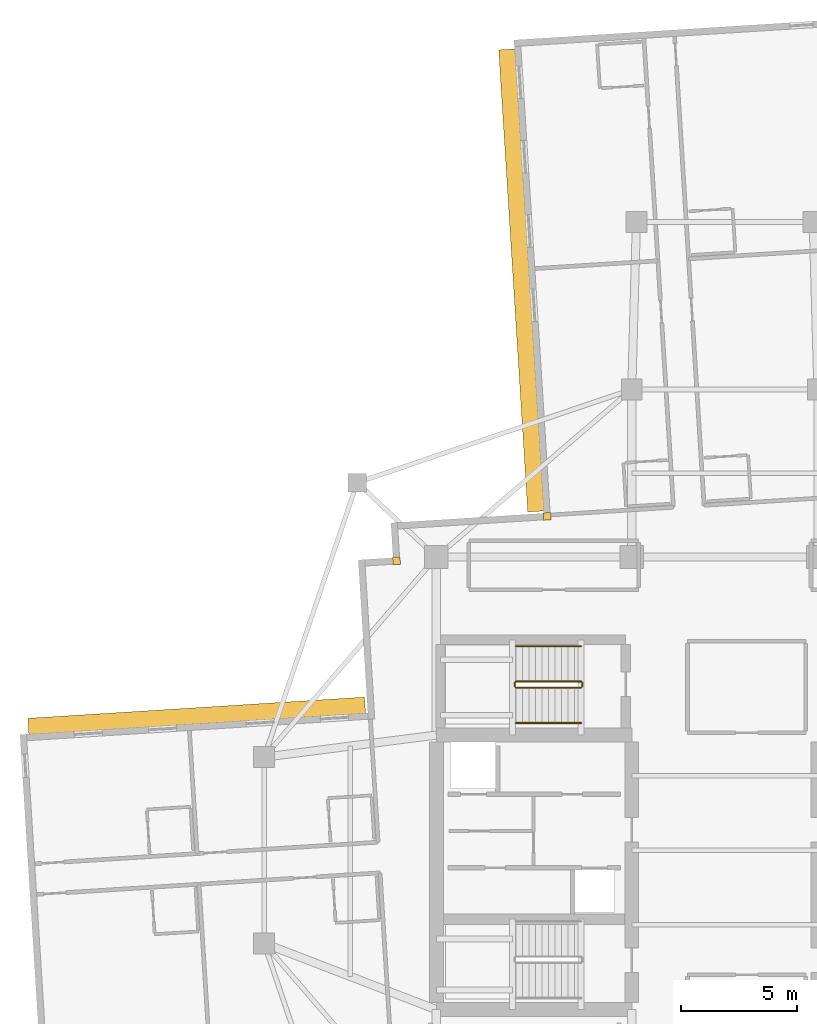
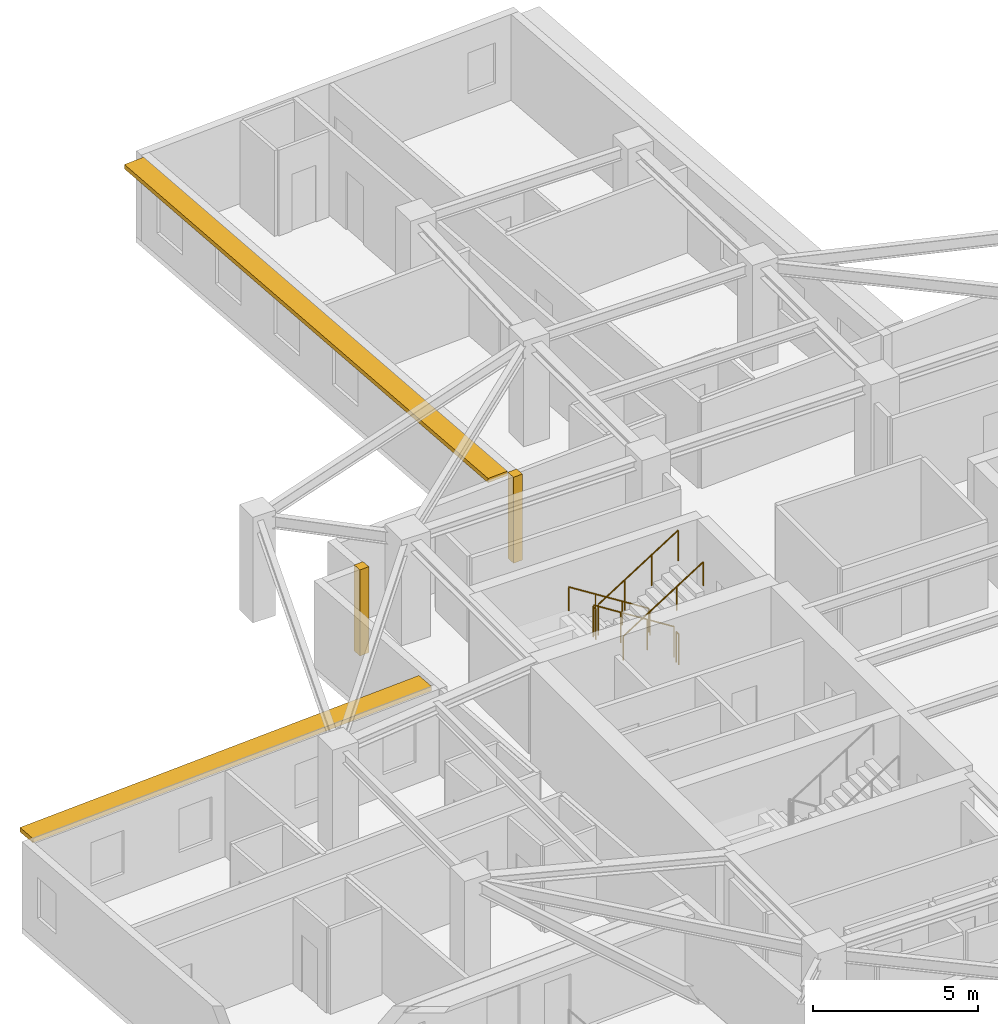
# One storey, part 11 of 12: 6 railings, 2 coverings, 2 shading devices.
"""IFC4 building model written with IfcOpenShell, lengths in metres."""

from ifc_helpers import new_model, si_unit, direction, frame, origin, origin_2d, place, context, subcontext, project, spatial, rectangle, circle, extrude, material, layer, layer_set, type_object, element, save


model = new_model("IFC4")

# Units and contexts
model_context = context("Model", 3, precision=1e-05, world=origin(), true_north=direction((0.0, 1.0)))
body_context = subcontext(model_context, "Body", "Model", "MODEL_VIEW")
ifc_project = project(units=[si_unit("LENGTHUNIT", "METRE"), si_unit("AREAUNIT", "SQUARE_METRE"), si_unit("VOLUMEUNIT", "CUBIC_METRE"), si_unit("PLANEANGLEUNIT", "RADIAN"), si_unit("MASSUNIT", "GRAM", prefix="KILO")], contexts=[model_context])

# Site, building, storey
site_placement = place(None, origin())
site = spatial("IfcSite", under=ifc_project, at=site_placement, CompositionType="ELEMENT")
building_placement = place(site_placement, origin())
building = spatial("IfcBuilding", under=site, at=building_placement, Name="Qingluan Cross Belvedere", CompositionType="ELEMENT")
storey_placement = place(building_placement, frame((0.0, 0.0, 209.10009765625)))
storey = spatial("IfcBuildingStorey", under=building, at=storey_placement, Name="L52", CompositionType="ELEMENT", Elevation=209.10009765625)

# Coverings
ifc_material_1 = material(Name="Precast concrete C45", Category="concrete")
ifc_layer_1 = layer(ifc_material_1, 0.1201171875, Name="ConcreteSpandrelCladding_120")
ifc_layer_set_1 = layer_set([ifc_layer_1], Name="Precast concrete C45")
covering_type = type_object("IfcCoveringType", Name="ConcreteSpandrelCladding_120", PredefinedType="CLADDING", material=ifc_layer_set_1)
for number, where, z_axis, x_axis, name in (
    (1, (-14.10888671875, 12.438720703125, 0.0), (0.0, 0.0, 1.0), (0.998026728428, 0.062790519529, 0.0), "Corner closure L52-NW1"),
    (2, (-7.635986328125, 14.348876953125, 0.0), (0.0, 0.0, 1.0), (0.998026728428, 0.062790519529, 0.0), "Corner closure L52-NW2"),
):
    element("IfcCovering", number, at=place(storey_placement, frame(where, z_axis=z_axis, x_axis=x_axis)), inside=storey, type_object=covering_type, Name=name, PredefinedType="CLADDING", context=body_context, shape_type="SweptSolid", body=[
        extrude(rectangle(XDim=0.320068359375, YDim=0.320068359375, at=origin_2d()), origin(), (0.0, 0.0, 1.0), 3.179931640625),
    ])

# Shading devices
ifc_material_2 = material(Name="Precast concrete C45", Category="concrete")
ifc_layer_2 = layer(ifc_material_2, 0.139892578125, Name="ConcreteSunshadeBand_700")
ifc_layer_set_2 = layer_set([ifc_layer_2], Name="Precast concrete C45")
shading_device_type = type_object("IfcShadingDeviceType", Name="ConcreteSunshadeBand_700", PredefinedType="USERDEFINED", material=ifc_layer_set_2)
shading_device_1_placement = place(storey_placement, frame((-8.744873046875, 24.4892578125, 3.0), z_axis=(0.0, 0.0, 1.0), x_axis=(0.062791158819, -0.998026688207, 0.0)))
element("IfcShadingDevice", 3, at=shading_device_1_placement, inside=storey, type_object=shading_device_type, Name="Concrete SUNSHADE L52-NB", ObjectType="SUNSHADE", PredefinedType="USERDEFINED", context=body_context, shape_type="SweptSolid", body=[
    extrude(rectangle(XDim=19.89990234375, YDim=0.699951171875, at=origin_2d()), origin(), (0.0, 0.0, 1.0), 0.159912109375),
])
shading_device_2_placement = place(storey_placement, frame((-22.697509765625, 5.776123046875, 3.0), z_axis=(0.0, 0.0, 1.0), x_axis=(-0.998026818306, -0.062789090939, 0.0)))
element("IfcShadingDevice", 4, at=shading_device_2_placement, inside=storey, type_object=shading_device_type, Name="Concrete SUNSHADE L52-WA", ObjectType="SUNSHADE", PredefinedType="USERDEFINED", context=body_context, shape_type="SweptSolid", body=[
    extrude(rectangle(XDim=14.5, YDim=0.699951171875, at=origin_2d()), origin(), (0.0, 0.0, 1.0), 0.159912109375),
])

# Railings
ifc_material_3 = material(Name="Brushed stainless steel tubular handrail", Category="steel")
railing_type_1 = type_object("IfcRailingType", Name="StairPitchHandrail_900", PredefinedType="HANDRAIL", material=ifc_material_3)
railing_1_placement = place(storey_placement, frame((-6.179931640625, 8.77001953125, 0.17724609375)))
element("IfcRailing", 5, at=railing_1_placement, inside=storey, type_object=railing_type_1, Name="L52 ST3 stair handrail 1", PredefinedType="HANDRAIL", context=body_context, shape_type="SweptSolid", body=[
    extrude(circle(Radius=0.02392578125, at=origin_2d()), frame((0.0, 0.0, 0.8759765625), z_axis=(-0.844908973607, 0.0, 0.534910110503), x_axis=(0.0, -1.0, 0.0)), (0.0, 0.0, 1.0), 3.31396484375),
    extrude(circle(Radius=0.02099609375, at=origin_2d()), origin(), (0.0, 0.0, 1.0), 0.851806640625),
    extrude(circle(Radius=0.02099609375, at=origin_2d()), frame((-0.933349609375, 0.0, 0.5908203125)), (0.0, 0.0, 1.0), 0.851806640625),
    extrude(circle(Radius=0.02099609375, at=origin_2d()), frame((-1.86669921875, 0.0, 1.181884765625)), (0.0, 0.0, 1.0), 0.851806640625),
    extrude(circle(Radius=0.02099609375, at=origin_2d()), frame((-2.800048828125, 0.0, 1.772705078125)), (0.0, 0.0, 1.0), 0.851806640625),
])
railing_2_placement = place(storey_placement, frame((-8.97998046875, 5.469970703125, 2.127197265625)))
element("IfcRailing", 6, at=railing_2_placement, inside=storey, type_object=railing_type_1, Name="L52 ST3 stair handrail 2", PredefinedType="HANDRAIL", context=body_context, shape_type="SweptSolid", body=[
    extrude(circle(Radius=0.02392578125, at=origin_2d()), frame((0.0, 0.0, 0.8759765625), z_axis=(0.844908973607, 0.0, 0.534910110503), x_axis=(0.0, 1.0, 0.0)), (0.0, 0.0, 1.0), 3.31396484375),
    extrude(circle(Radius=0.02099609375, at=origin_2d()), origin(), (0.0, 0.0, 1.0), 0.851806640625),
    extrude(circle(Radius=0.02099609375, at=origin_2d()), frame((0.933349609375, 0.0, 0.5908203125)), (0.0, 0.0, 1.0), 0.851806640625),
    extrude(circle(Radius=0.02099609375, at=origin_2d()), frame((1.86669921875, 0.0, 1.181884765625)), (0.0, 0.0, 1.0), 0.851806640625),
    extrude(circle(Radius=0.02099609375, at=origin_2d()), frame((2.800048828125, 0.0, 1.772705078125)), (0.0, 0.0, 1.0), 0.851806640625),
])
ifc_material_4 = material(Name="Painted steel stair well guard", Category="steel")
railing_type_2 = type_object("IfcRailingType", Name="StairWellGuard_1150", PredefinedType="BALUSTRADE", material=ifc_material_4)
railing_3_placement = place(storey_placement, frame((-6.179931640625, 7.25, 0.17724609375)))
element("IfcRailing", 7, at=railing_3_placement, inside=storey, type_object=railing_type_2, Name="L52 ST3 stair guard 1", PredefinedType="BALUSTRADE", context=body_context, shape_type="SweptSolid", body=[
    extrude(circle(Radius=0.02392578125, at=origin_2d()), frame((0.0, 0.0, 1.1259765625), z_axis=(-0.844908973607, 0.0, 0.534910110503), x_axis=(0.0, -1.0, 0.0)), (0.0, 0.0, 1.0), 3.31396484375),
    extrude(circle(Radius=0.02099609375, at=origin_2d()), origin(), (0.0, 0.0, 1.0), 1.101806640625),
    extrude(circle(Radius=0.02099609375, at=origin_2d()), frame((-0.933349609375, 0.0, 0.5908203125)), (0.0, 0.0, 1.0), 1.101806640625),
    extrude(circle(Radius=0.02099609375, at=origin_2d()), frame((-1.86669921875, 0.0, 1.181884765625)), (0.0, 0.0, 1.0), 1.101806640625),
    extrude(circle(Radius=0.02099609375, at=origin_2d()), frame((-2.800048828125, 0.0, 1.772705078125)), (0.0, 0.0, 1.0), 1.101806640625),
])
railing_4_placement = place(storey_placement, frame((-9.030029296875, 7.199951171875, 1.949951171875)))
element("IfcRailing", 8, at=railing_4_placement, inside=storey, type_object=railing_type_2, Name="L52 ST3 stair guard 2", PredefinedType="BALUSTRADE", context=body_context, shape_type="SweptSolid", body=[
    extrude(circle(Radius=0.02392578125, at=origin_2d()), frame((0.0, 0.0, 1.1259765625), z_axis=(0.0, -1.0, 0.0), x_axis=(1.0, 0.0, 0.0)), (0.0, 0.0, 1.0), 0.159912109375),
    extrude(circle(Radius=0.02099609375, at=origin_2d()), origin(), (0.0, 0.0, 1.0), 1.101806640625),
    extrude(circle(Radius=0.02099609375, at=origin_2d()), frame((0.0, -0.159912109375, 0.0)), (0.0, 0.0, 1.0), 1.101806640625),
])
railing_5_placement = place(storey_placement, frame((-8.97998046875, 6.989990234375, 2.127197265625)))
element("IfcRailing", 9, at=railing_5_placement, inside=storey, type_object=railing_type_2, Name="L52 ST3 stair guard 3", PredefinedType="BALUSTRADE", context=body_context, shape_type="SweptSolid", body=[
    extrude(circle(Radius=0.02392578125, at=origin_2d()), frame((0.0, 0.0, 1.1259765625), z_axis=(0.844908973607, 0.0, 0.534910110503), x_axis=(0.0, 1.0, 0.0)), (0.0, 0.0, 1.0), 3.31396484375),
    extrude(circle(Radius=0.02099609375, at=origin_2d()), origin(), (0.0, 0.0, 1.0), 1.101806640625),
    extrude(circle(Radius=0.02099609375, at=origin_2d()), frame((0.933349609375, 0.0, 0.5908203125)), (0.0, 0.0, 1.0), 1.101806640625),
    extrude(circle(Radius=0.02099609375, at=origin_2d()), frame((1.86669921875, 0.0, 1.181884765625)), (0.0, 0.0, 1.0), 1.101806640625),
    extrude(circle(Radius=0.02099609375, at=origin_2d()), frame((2.800048828125, 0.0, 1.772705078125)), (0.0, 0.0, 1.0), 1.101806640625),
])
railing_6_placement = place(storey_placement, frame((-6.1298828125, 7.199951171875, 0.0)))
element("IfcRailing", 10, at=railing_6_placement, inside=storey, type_object=railing_type_2, Name="L52 ST3 stair guard 4", PredefinedType="BALUSTRADE", context=body_context, shape_type="SweptSolid", body=[
    extrude(circle(Radius=0.02392578125, at=origin_2d()), frame((0.0, 0.0, 1.1259765625), z_axis=(0.0, -1.0, 0.0), x_axis=(1.0, 0.0, 0.0)), (0.0, 0.0, 1.0), 0.159912109375),
    extrude(circle(Radius=0.02099609375, at=origin_2d()), origin(), (0.0, 0.0, 1.0), 1.101806640625),
    extrude(circle(Radius=0.02099609375, at=origin_2d()), frame((0.0, -0.159912109375, 0.0)), (0.0, 0.0, 1.0), 1.101806640625),
])

save(model, "model.ifc")
